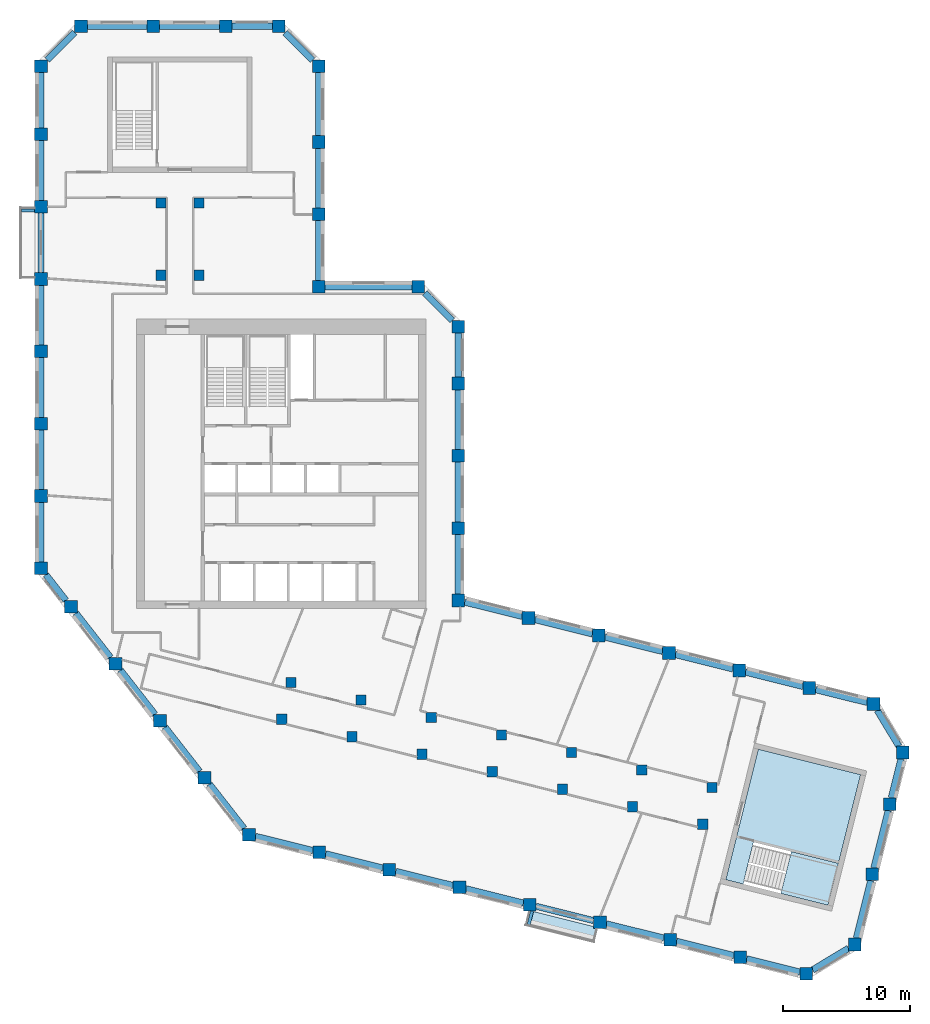
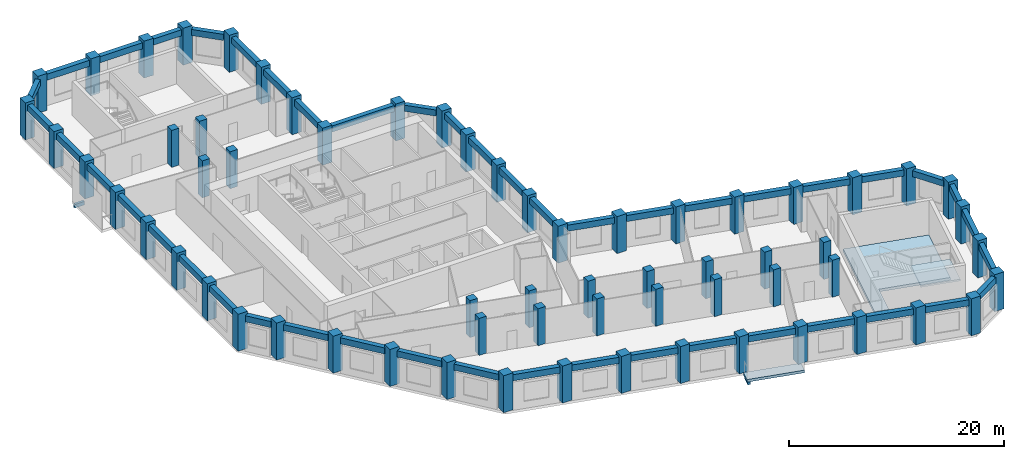
# One storey, part 1 of 9: 63 columns, 47 beams, 3 slabs, 1 element without a shape of its own.
"""IFC4 building model written with IfcOpenShell, lengths in metres."""

from ifc_helpers import new_model, si_unit, direction, frame, origin, origin_2d, place, context, subcontext, project, spatial, polyline, rectangle, outline, extrude, material, layer, layer_set, material_profile, profile_set, type_object, element, aggregate, save


model = new_model("IFC4")

# Units and contexts
model_context = context("Model", 3, precision=1e-05, world=origin(), true_north=direction((0.0, 1.0)))
body_context = subcontext(model_context, "Body", "Model", "MODEL_VIEW")
ifc_project = project(units=[si_unit("LENGTHUNIT", "METRE"), si_unit("AREAUNIT", "SQUARE_METRE"), si_unit("VOLUMEUNIT", "CUBIC_METRE"), si_unit("PLANEANGLEUNIT", "RADIAN"), si_unit("MASSUNIT", "GRAM", prefix="KILO")], contexts=[model_context])

# Site, building, storey
site_placement = place(None, origin())
site = spatial("IfcSite", under=ifc_project, at=site_placement, CompositionType="ELEMENT")
building_placement = place(site_placement, origin())
building = spatial("IfcBuilding", under=site, at=building_placement, Name="Meshkara Civic Tower", CompositionType="ELEMENT")
storey_placement = place(building_placement, frame((0.0, 0.0, 302.39990234375)))
storey = spatial("IfcBuildingStorey", under=building, at=storey_placement, Name="L69", CompositionType="ELEMENT", Elevation=302.39990234375)

# Columns
ifc_material_1 = material(Name="Concrete C60", Category="concrete")
ifc_material_profile_1 = material_profile(ifc_material_1, rectangle(XDim=0.800048828125, YDim=0.800048828125, at=origin_2d()))
ifc_profile_set_1 = profile_set([ifc_material_profile_1], Name="Concrete C60")
column_type_1 = type_object("IfcColumnType", Name="Interior column RC 800x800 C60", PredefinedType="COLUMN", material=ifc_profile_set_1)
for number, where, z_axis, x_axis, name in (
    (1, (9.89990234375, 40.35009765625, 0.0), (0.0, 0.0, 1.0), (1.0, 0.0, 0.0), "Column SA1-04 L69"),
    (2, (9.89990234375, 46.050048828125, 0.0), (0.0, 0.0, 1.0), (1.0, 0.0, 0.0), "Column SA1-05 L69"),
    (3, (12.89990234375, 40.35009765625, 0.0), (0.0, 0.0, 1.0), (1.0, 0.0, 0.0), "Column SA2-04 L69"),
    (4, (12.89990234375, 46.050048828125, 0.0), (0.0, 0.0, 1.0), (1.0, 0.0, 0.0), "Column SA2-05 L69"),
    (5, (19.424072265625, 5.360107421875, 0.0), (0.0, 0.0, 1.0), (1.0, 0.0, 0.0), "Column SB1-00 L69"),
    (6, (24.9541015625, 3.98095703125, 0.0), (0.0, 0.0, 1.0), (1.0, 0.0, 0.0), "Column SB1-01 L69"),
    (7, (30.485107421875, 2.60205078125, 0.0), (0.0, 0.0, 1.0), (1.0, 0.0, 0.0), "Column SB1-02 L69"),
    (8, (36.01611328125, 1.222900390625, 0.0), (0.0, 0.0, 1.0), (1.0, 0.0, 0.0), "Column SB1-03 L69"),
    (9, (41.5458984375, -0.156005859375, 0.0), (0.0, 0.0, 1.0), (1.0, 0.0, 0.0), "Column SB1-04 L69"),
    (10, (47.076904296875, -1.534912109375, 0.0), (0.0, 0.0, 1.0), (1.0, 0.0, 0.0), "Column SB1-05 L69"),
    (11, (52.60791015625, -2.9140625, 0.0), (0.0, 0.0, 1.0), (1.0, 0.0, 0.0), "Column SB1-06 L69"),
    (12, (20.14892578125, 8.27099609375, 0.0), (0.0, 0.0, 1.0), (1.0, 0.0, 0.0), "Column SB2-00 L69"),
    (13, (25.679931640625, 6.89208984375, 0.0), (0.0, 0.0, 1.0), (1.0, 0.0, 0.0), "Column SB2-01 L69"),
    (14, (31.2109375, 5.512939453125, 0.0), (0.0, 0.0, 1.0), (1.0, 0.0, 0.0), "Column SB2-02 L69"),
    (15, (36.741943359375, 4.134033203125, 0.0), (0.0, 0.0, 1.0), (1.0, 0.0, 0.0), "Column SB2-03 L69"),
    (16, (42.27197265625, 2.7548828125, 0.0), (0.0, 0.0, 1.0), (1.0, 0.0, 0.0), "Column SB2-04 L69"),
    (17, (47.802978515625, 1.3759765625, 0.0), (0.0, 0.0, 1.0), (1.0, 0.0, 0.0), "Column SB2-05 L69"),
    (18, (53.333984375, -0.0029296875, 0.0), (0.0, 0.0, 1.0), (1.0, 0.0, 0.0), "Column SB2-06 L69"),
):
    element("IfcColumn", number, at=place(storey_placement, frame(where, z_axis=z_axis, x_axis=x_axis)), inside=storey, type_object=column_type_1, Name=name, PredefinedType="COLUMN", context=body_context, shape_type="SweptSolid", body=[
        extrude(rectangle(XDim=0.800048828125, YDim=0.800048828125, at=origin_2d()), origin(), (0.0, 0.0, 1.0), 4.2001953125),
    ])
ifc_material_2 = material(Name="Concrete C60", Category="concrete")
ifc_material_profile_2 = material_profile(ifc_material_2, rectangle(XDim=1.0, YDim=1.0, at=origin_2d()))
ifc_profile_set_2 = profile_set([ifc_material_profile_2], Name="Concrete C60")
column_type_2 = type_object("IfcColumnType", Name="Perimeter column RC 1000x1000 C60", PredefinedType="COLUMN", material=ifc_profile_set_2)
for number, where, z_axis, x_axis, name in (
    (19, (33.35009765625, 14.718994140625, 0.0), (0.0, 0.0, 1.0), (1.0, 0.0, 0.0), "Column HE00 L69"),
    (20, (33.35009765625, 20.4189453125, 0.0), (0.0, 0.0, 1.0), (1.0, 0.0, 0.0), "Column HE01 L69"),
    (21, (33.35009765625, 26.118896484375, 0.0), (0.0, 0.0, 1.0), (1.0, 0.0, 0.0), "Column HE02 L69"),
    (22, (33.35009765625, 31.819091796875, 0.0), (0.0, 0.0, 1.0), (1.0, 0.0, 0.0), "Column HE03 L69"),
    (23, (33.35009765625, 36.2939453125, 0.0), (0.0, 0.0, 1.0), (1.0, 0.0, 0.0), "Column HEE L69"),
    (24, (30.194091796875, 39.449951171875, 0.0), (0.0, 0.0, 1.0), (1.0, 0.0, 0.0), "Column HCeE L69"),
    (25, (22.35009765625, 39.449951171875, 0.0), (0.0, 0.0, 1.0), (1.0, 0.0, 0.0), "Column HN00 L69"),
    (26, (22.35009765625, 45.14990234375, 0.0), (0.0, 0.0, 1.0), (1.0, 0.0, 0.0), "Column AE01 L69"),
    (27, (22.35009765625, 50.85009765625, 0.0), (0.0, 0.0, 1.0), (1.0, 0.0, 0.0), "Column AE02 L69"),
    (28, (22.35009765625, 56.81396484375, 0.0), (0.0, 0.0, 1.0), (1.0, 0.0, 0.0), "Column AEEP4 L69"),
    (29, (19.194091796875, 59.969970703125, 0.0), (0.0, 0.0, 1.0), (1.0, 0.0, 0.0), "Column ATiEP4 L69"),
    (30, (3.60595703125, 59.969970703125, 0.0), (0.0, 0.0, 1.0), (1.0, 0.0, 0.0), "Column AT00-P4 L69"),
    (31, (9.305908203125, 59.969970703125, 0.0), (0.0, 0.0, 1.0), (1.0, 0.0, 0.0), "Column AT01-P4 L69"),
    (32, (15.006103515625, 59.969970703125, 0.0), (0.0, 0.0, 1.0), (1.0, 0.0, 0.0), "Column AT02-P4 L69"),
    (33, (0.449951171875, 56.81396484375, 0.0), (0.0, 0.0, 1.0), (1.0, 0.0, 0.0), "Column ATo00-P4 L69"),
    (34, (0.449951171875, 17.2548828125, 0.0), (0.0, 0.0, 1.0), (1.0, 0.0, 0.0), "Column AW00 L69"),
    (35, (0.449951171875, 22.955078125, 0.0), (0.0, 0.0, 1.0), (1.0, 0.0, 0.0), "Column AW01 L69"),
    (36, (0.449951171875, 28.655029296875, 0.0), (0.0, 0.0, 1.0), (1.0, 0.0, 0.0), "Column AW02 L69"),
    (37, (0.449951171875, 34.35498046875, 0.0), (0.0, 0.0, 1.0), (1.0, 0.0, 0.0), "Column AW03 L69"),
    (38, (0.449951171875, 40.054931640625, 0.0), (0.0, 0.0, 1.0), (1.0, 0.0, 0.0), "Column AW04 L69"),
    (39, (0.449951171875, 45.7548828125, 0.0), (0.0, 0.0, 1.0), (1.0, 0.0, 0.0), "Column AW05 L69"),
    (40, (0.449951171875, 51.455078125, 0.0), (0.0, 0.0, 1.0), (1.0, 0.0, 0.0), "Column AW06 L69"),
    (41, (16.85107421875, -3.738037109375, 0.0), (0.0, 0.0, 1.0), (1.0, 0.0, 0.0), "Column BOW00 L69"),
    (42, (13.342041015625, 0.75390625, 0.0), (0.0, 0.0, 1.0), (1.0, 0.0, 0.0), "Column BOW01 L69"),
    (43, (9.8330078125, 5.2451171875, 0.0), (0.0, 0.0, 1.0), (1.0, 0.0, 0.0), "Column BOW02 L69"),
    (44, (6.322998046875, 9.737060546875, 0.0), (0.0, 0.0, 1.0), (1.0, 0.0, 0.0), "Column BOW03 L69"),
    (45, (2.81396484375, 14.22900390625, 0.0), (0.0, 0.0, 1.0), (1.0, 0.0, 0.0), "Column BOW04 L69"),
    (46, (22.382080078125, -5.116943359375, 0.0), (0.0, 0.0, 1.0), (1.0, 0.0, 0.0), "Column BS01 L69"),
    (47, (27.912109375, -6.49609375, 0.0), (0.0, 0.0, 1.0), (1.0, 0.0, 0.0), "Column BS02 L69"),
    (48, (33.443115234375, -7.875, 0.0), (0.0, 0.0, 1.0), (1.0, 0.0, 0.0), "Column BS03 L69"),
    (49, (38.97412109375, -9.25390625, 0.0), (0.0, 0.0, 1.0), (1.0, 0.0, 0.0), "Column BS04 L69"),
    (50, (44.50390625, -10.633056640625, 0.0), (0.0, 0.0, 1.0), (1.0, 0.0, 0.0), "Column BS05-P4 L69"),
    (51, (50.034912109375, -12.011962890625, 0.0), (0.0, 0.0, 1.0), (1.0, 0.0, 0.0), "Column BS06-P4 L69"),
    (52, (55.56591796875, -13.389892578125, 0.0), (0.0, 0.0, 1.0), (1.0, 0.0, 0.0), "Column BS07 L69"),
    (53, (60.76611328125, -14.68701171875, 0.0), (0.0, 0.0, 1.0), (1.0, 0.0, 0.0), "Column BSEP4 L69"),
    (54, (64.591064453125, -12.386962890625, 0.0), (0.0, 0.0, 1.0), (1.0, 0.0, 0.0), "Column BToEP4 L69"),
    (55, (65.969970703125, -6.85595703125, 0.0), (0.0, 0.0, 1.0), (1.0, 0.0, 0.0), "Column BT01-P4 L69"),
    (56, (67.34912109375, -1.325927734375, 0.0), (0.0, 0.0, 1.0), (1.0, 0.0, 0.0), "Column BT02-P4 L69"),
    (57, (68.362060546875, 2.736083984375, 0.0), (0.0, 0.0, 1.0), (1.0, 0.0, 0.0), "Column BTEP4 L69"),
    (58, (66.06298828125, 6.56201171875, 0.0), (0.0, 0.0, 1.0), (1.0, 0.0, 0.0), "Column BTi00-P4 L69"),
    (59, (38.881103515625, 13.340087890625, 0.0), (0.0, 0.0, 1.0), (1.0, 0.0, 0.0), "Column BN01 L69"),
    (60, (44.410888671875, 11.9609375, 0.0), (0.0, 0.0, 1.0), (1.0, 0.0, 0.0), "Column BN02 L69"),
    (61, (49.94189453125, 10.58203125, 0.0), (0.0, 0.0, 1.0), (1.0, 0.0, 0.0), "Column BN03 L69"),
    (62, (55.472900390625, 9.202880859375, 0.0), (0.0, 0.0, 1.0), (1.0, 0.0, 0.0), "Column BN04 L69"),
    (63, (61.0029296875, 7.823974609375, 0.0), (0.0, 0.0, 1.0), (1.0, 0.0, 0.0), "Column BN05 L69"),
):
    element("IfcColumn", number, at=place(storey_placement, frame(where, z_axis=z_axis, x_axis=x_axis)), inside=storey, type_object=column_type_2, Name=name, PredefinedType="COLUMN", context=body_context, shape_type="SweptSolid", body=[
        extrude(rectangle(XDim=1.0, YDim=1.0, at=origin_2d()), origin(), (0.0, 0.0, 1.0), 4.2001953125),
    ])

# Beams
ifc_material_3 = material(Name="Concrete C50", Category="concrete")
ifc_material_profile_3 = material_profile(ifc_material_3, rectangle(XDim=0.25, YDim=0.39990234375, at=origin_2d()))
ifc_profile_set_3 = profile_set([ifc_material_profile_3], Name="Concrete C50")
beam_type_1 = type_object("IfcBeamType", Name="Balcony bracket beam RC 250x400 C50", PredefinedType="BEAM", material=ifc_profile_set_3)
beam_1_placement = place(storey_placement, frame((-0.044921875, 45.455078125, -0.5), z_axis=(-1.0, 0.0, 0.0), x_axis=(0.0, -1.0, 0.0)))
element("IfcBeam", 64, at=beam_1_placement, inside=storey, type_object=beam_type_1, Name="Balcony bracket beam", PredefinedType="BEAM", context=body_context, shape_type="SweptSolid", body=[
    extrude(rectangle(XDim=0.25, YDim=0.39990234375, at=origin_2d()), origin(), (0.0, 0.0, 1.0), 1.05517578125),
])
beam_2_placement = place(storey_placement, frame((39.159912109375, -9.7490234375, -0.5), z_axis=(-0.242329403705, -0.970194032192, 0.0), x_axis=(0.970194032192, -0.242329403705, 0.0)))
element("IfcBeam", 65, at=beam_2_placement, inside=storey, type_object=beam_type_1, Name="Balcony bracket beam", PredefinedType="BEAM", context=body_context, shape_type="SweptSolid", body=[
    extrude(rectangle(XDim=0.25, YDim=0.39990234375, at=origin_2d()), origin(), (0.0, 0.0, 1.0), 1.1142578125),
])
ifc_material_4 = material(Name="Concrete C50", Category="concrete")
ifc_material_profile_4 = material_profile(ifc_material_4, rectangle(XDim=0.5, YDim=0.699951171875, at=origin_2d()))
ifc_profile_set_4 = profile_set([ifc_material_profile_4], Name="Concrete C50")
beam_type_2 = type_object("IfcBeamType", Name="Spandrel beam RC 500x700 C50", PredefinedType="BEAM", material=ifc_profile_set_4)
beam_3_placement = place(storey_placement, frame((60.5078125, 7.947509765625, 3.550048828125), z_axis=(-0.970286590806, 0.241958533023, 0.0), x_axis=(-0.241958533023, -0.970286590806, 0.0)))
element("IfcBeam", 66, at=beam_3_placement, inside=storey, type_object=beam_type_2, Name="Spandrel beam BN04-BN05", PredefinedType="BEAM", context=body_context, shape_type="SweptSolid", body=[
    extrude(rectangle(XDim=0.5, YDim=0.699951171875, at=origin_2d()), origin(), (0.0, 0.0, 1.0), 4.6787109375),
])
beam_4_placement = place(storey_placement, frame((54.977783203125, 9.326416015625, 3.550048828125), z_axis=(-0.970298806378, 0.241909541651, 0.0), x_axis=(-0.241909541651, -0.970298806378, 0.0)))
element("IfcBeam", 67, at=beam_4_placement, inside=storey, type_object=beam_type_2, Name="Spandrel beam BN03-BN04", PredefinedType="BEAM", context=body_context, shape_type="SweptSolid", body=[
    extrude(rectangle(XDim=0.5, YDim=0.699951171875, at=origin_2d()), origin(), (0.0, 0.0, 1.0), 4.6796875),
])
beam_5_placement = place(storey_placement, frame((49.447021484375, 10.70556640625, 3.550048828125), z_axis=(-0.970314102262, 0.241848181618, 0.0), x_axis=(-0.241848181618, -0.970314102262, 0.0)))
element("IfcBeam", 68, at=beam_5_placement, inside=storey, type_object=beam_type_2, Name="Spandrel beam BN02-BN03", PredefinedType="BEAM", context=body_context, shape_type="SweptSolid", body=[
    extrude(rectangle(XDim=0.5, YDim=0.699951171875, at=origin_2d()), origin(), (0.0, 0.0, 1.0), 4.679931640625),
])
beam_6_placement = place(storey_placement, frame((43.916015625, 12.08447265625, 3.550048828125), z_axis=(-0.970286590806, 0.241958533023, 0.0), x_axis=(-0.241958533023, -0.970286590806, 0.0)))
element("IfcBeam", 69, at=beam_6_placement, inside=storey, type_object=beam_type_2, Name="Spandrel beam BN01-BN02", PredefinedType="BEAM", context=body_context, shape_type="SweptSolid", body=[
    extrude(rectangle(XDim=0.5, YDim=0.699951171875, at=origin_2d()), origin(), (0.0, 0.0, 1.0), 4.6787109375),
])
beam_7_placement = place(storey_placement, frame((38.385986328125, 13.46337890625, 3.550048828125), z_axis=(-0.970298806378, 0.241909541651, 0.0), x_axis=(-0.241909541651, -0.970298806378, 0.0)))
element("IfcBeam", 70, at=beam_7_placement, inside=storey, type_object=beam_type_2, Name="Spandrel beam BN01-HE00", PredefinedType="BEAM", context=body_context, shape_type="SweptSolid", body=[
    extrude(rectangle(XDim=0.5, YDim=0.699951171875, at=origin_2d()), origin(), (0.0, 0.0, 1.0), 4.6796875),
])
for number, where, z_axis, x_axis, name in (
    (71, (33.35009765625, 15.214111328125, 3.550048828125), (0.0, 1.0, 0.0), (-1.0, 0.0, 0.0), "Spandrel beam HE00-HE01"),
    (72, (33.35009765625, 20.9140625, 3.550048828125), (0.0, 1.0, 0.0), (-1.0, 0.0, 0.0), "Spandrel beam HE01-HE02"),
    (73, (33.35009765625, 26.614013671875, 3.550048828125), (0.0, 1.0, 0.0), (-1.0, 0.0, 0.0), "Spandrel beam HE02-HE03"),
):
    element("IfcBeam", number, at=place(storey_placement, frame(where, z_axis=z_axis, x_axis=x_axis)), inside=storey, type_object=beam_type_2, Name=name, PredefinedType="BEAM", context=body_context, shape_type="SweptSolid", body=[
        extrude(rectangle(XDim=0.5, YDim=0.699951171875, at=origin_2d()), origin(), (0.0, 0.0, 1.0), 4.7099609375),
    ])
beam_8_placement = place(storey_placement, frame((33.35009765625, 32.31396484375, 3.550048828125), z_axis=(0.0, 1.0, 0.0), x_axis=(-1.0, 0.0, 0.0)))
element("IfcBeam", 74, at=beam_8_placement, inside=storey, type_object=beam_type_2, Name="Spandrel beam HE03-HEE", PredefinedType="BEAM", context=body_context, shape_type="SweptSolid", body=[
    extrude(rectangle(XDim=0.5, YDim=0.699951171875, at=origin_2d()), origin(), (0.0, 0.0, 1.0), 3.485107421875),
])
beam_9_placement = place(storey_placement, frame((32.853515625, 36.79052734375, 3.550048828125), z_axis=(-0.707106781187, 0.707106781187, 0.0), x_axis=(-0.707106781187, -0.707106781187, 0.0)))
element("IfcBeam", 75, at=beam_9_placement, inside=storey, type_object=beam_type_2, Name="Spandrel beam HCeE-HEE", PredefinedType="BEAM", context=body_context, shape_type="SweptSolid", body=[
    extrude(rectangle(XDim=0.5, YDim=0.699951171875, at=origin_2d()), origin(), (0.0, 0.0, 1.0), 3.05908203125),
])
beam_10_placement = place(storey_placement, frame((29.698974609375, 39.449951171875, 3.550048828125), z_axis=(-1.0, 0.0, 0.0), x_axis=(0.0, -1.0, 0.0)))
element("IfcBeam", 76, at=beam_10_placement, inside=storey, type_object=beam_type_2, Name="Spandrel beam HCeE-HN00", PredefinedType="BEAM", context=body_context, shape_type="SweptSolid", body=[
    extrude(rectangle(XDim=0.5, YDim=0.699951171875, at=origin_2d()), origin(), (0.0, 0.0, 1.0), 6.85400390625),
])
for number, where, z_axis, x_axis, name in (
    (77, (22.35009765625, 39.945068359375, 3.550048828125), (0.0, 1.0, 0.0), (-1.0, 0.0, 0.0), "Spandrel beam AE01-HN00"),
    (78, (22.35009765625, 45.64501953125, 3.550048828125), (0.0, 1.0, 0.0), (-1.0, 0.0, 0.0), "Spandrel beam AE01-AE02"),
):
    element("IfcBeam", number, at=place(storey_placement, frame(where, z_axis=z_axis, x_axis=x_axis)), inside=storey, type_object=beam_type_2, Name=name, PredefinedType="BEAM", context=body_context, shape_type="SweptSolid", body=[
        extrude(rectangle(XDim=0.5, YDim=0.699951171875, at=origin_2d()), origin(), (0.0, 0.0, 1.0), 4.7099609375),
    ])
beam_11_placement = place(storey_placement, frame((22.35009765625, 51.344970703125, 3.550048828125), z_axis=(0.0, 1.0, 0.0), x_axis=(-1.0, 0.0, 0.0)))
element("IfcBeam", 79, at=beam_11_placement, inside=storey, type_object=beam_type_2, Name="Spandrel beam AE02-AEEP4", PredefinedType="BEAM", context=body_context, shape_type="SweptSolid", body=[
    extrude(rectangle(XDim=0.5, YDim=0.699951171875, at=origin_2d()), origin(), (0.0, 0.0, 1.0), 4.97412109375),
])
beam_12_placement = place(storey_placement, frame((21.853515625, 57.310546875, 3.550048828125), z_axis=(-0.707146686758, 0.707066873363, 0.0), x_axis=(-0.707066873363, -0.707146686758, 0.0)))
element("IfcBeam", 80, at=beam_12_placement, inside=storey, type_object=beam_type_2, Name="Spandrel beam AEEP4-ATiEP4", PredefinedType="BEAM", context=body_context, shape_type="SweptSolid", body=[
    extrude(rectangle(XDim=0.5, YDim=0.699951171875, at=origin_2d()), origin(), (0.0, 0.0, 1.0), 3.058837890625),
])
beam_13_placement = place(storey_placement, frame((18.698974609375, 59.969970703125, 3.550048828125), z_axis=(-1.0, 0.0, 0.0), x_axis=(0.0, -1.0, 0.0)))
element("IfcBeam", 81, at=beam_13_placement, inside=storey, type_object=beam_type_2, Name="Spandrel beam AT02-P4-ATiEP4", PredefinedType="BEAM", context=body_context, shape_type="SweptSolid", body=[
    extrude(rectangle(XDim=0.5, YDim=0.699951171875, at=origin_2d()), origin(), (0.0, 0.0, 1.0), 3.197998046875),
])
for number, where, z_axis, x_axis, name in (
    (82, (14.510986328125, 59.969970703125, 3.550048828125), (-1.0, 0.0, 0.0), (0.0, -1.0, 0.0), "Spandrel beam AT01-P4-AT02-P4"),
    (83, (8.81103515625, 59.969970703125, 3.550048828125), (-1.0, 0.0, 0.0), (0.0, -1.0, 0.0), "Spandrel beam AT00-P4-AT01-P4"),
):
    element("IfcBeam", number, at=place(storey_placement, frame(where, z_axis=z_axis, x_axis=x_axis)), inside=storey, type_object=beam_type_2, Name=name, PredefinedType="BEAM", context=body_context, shape_type="SweptSolid", body=[
        extrude(rectangle(XDim=0.5, YDim=0.699951171875, at=origin_2d()), origin(), (0.0, 0.0, 1.0), 4.7099609375),
    ])
beam_14_placement = place(storey_placement, frame((3.109619140625, 59.473388671875, 3.550048828125), z_axis=(-0.707146686758, -0.707066873363, 0.0), x_axis=(0.707066873363, -0.707146686758, 0.0)))
element("IfcBeam", 84, at=beam_14_placement, inside=storey, type_object=beam_type_2, Name="Spandrel beam AT00-P4-ATo00-P4", PredefinedType="BEAM", context=body_context, shape_type="SweptSolid", body=[
    extrude(rectangle(XDim=0.5, YDim=0.699951171875, at=origin_2d()), origin(), (0.0, 0.0, 1.0), 3.058837890625),
])
beam_15_placement = place(storey_placement, frame((0.449951171875, 56.319091796875, 3.550048828125), z_axis=(0.0, -1.0, 0.0), x_axis=(1.0, 0.0, 0.0)))
element("IfcBeam", 85, at=beam_15_placement, inside=storey, type_object=beam_type_2, Name="Spandrel beam ATo00-P4-AW06", PredefinedType="BEAM", context=body_context, shape_type="SweptSolid", body=[
    extrude(rectangle(XDim=0.5, YDim=0.699951171875, at=origin_2d()), origin(), (0.0, 0.0, 1.0), 4.369140625),
])
for number, where, z_axis, x_axis, name in (
    (86, (0.449951171875, 50.9599609375, 3.550048828125), (0.0, -1.0, 0.0), (1.0, 0.0, 0.0), "Spandrel beam AW05-AW06"),
    (87, (0.449951171875, 45.260009765625, 3.550048828125), (0.0, -1.0, 0.0), (1.0, 0.0, 0.0), "Spandrel beam AW04-AW05"),
    (88, (0.449951171875, 39.56005859375, 3.550048828125), (0.0, -1.0, 0.0), (1.0, 0.0, 0.0), "Spandrel beam AW03-AW04"),
):
    element("IfcBeam", number, at=place(storey_placement, frame(where, z_axis=z_axis, x_axis=x_axis)), inside=storey, type_object=beam_type_2, Name=name, PredefinedType="BEAM", context=body_context, shape_type="SweptSolid", body=[
        extrude(rectangle(XDim=0.5, YDim=0.699951171875, at=origin_2d()), origin(), (0.0, 0.0, 1.0), 4.7099609375),
    ])
beam_16_placement = place(storey_placement, frame((0.449951171875, 33.860107421875, 3.550048828125), z_axis=(0.0, -1.0, 0.0), x_axis=(1.0, 0.0, 0.0)))
element("IfcBeam", 89, at=beam_16_placement, inside=storey, type_object=beam_type_2, Name="Spandrel beam AW02-AW03", PredefinedType="BEAM", context=body_context, shape_type="SweptSolid", body=[
    extrude(rectangle(XDim=0.5, YDim=0.699951171875, at=origin_2d()), origin(), (0.0, 0.0, 1.0), 4.710205078125),
])
for number, where, z_axis, x_axis, name in (
    (90, (0.449951171875, 28.159912109375, 3.550048828125), (0.0, -1.0, 0.0), (1.0, 0.0, 0.0), "Spandrel beam AW01-AW02"),
    (91, (0.449951171875, 22.4599609375, 3.550048828125), (0.0, -1.0, 0.0), (1.0, 0.0, 0.0), "Spandrel beam AW00-AW01"),
):
    element("IfcBeam", number, at=place(storey_placement, frame(where, z_axis=z_axis, x_axis=x_axis)), inside=storey, type_object=beam_type_2, Name=name, PredefinedType="BEAM", context=body_context, shape_type="SweptSolid", body=[
        extrude(rectangle(XDim=0.5, YDim=0.699951171875, at=origin_2d()), origin(), (0.0, 0.0, 1.0), 4.7099609375),
    ])
beam_17_placement = place(storey_placement, frame((0.83740234375, 16.7587890625, 3.550048828125), z_axis=(0.615713794912, -0.787969874269, 0.0), x_axis=(0.787969874269, 0.615713794912, 0.0)))
element("IfcBeam", 92, at=beam_17_placement, inside=storey, type_object=beam_type_2, Name="Spandrel beam AW00-BOW04", PredefinedType="BEAM", context=body_context, shape_type="SweptSolid", body=[
    extrude(rectangle(XDim=0.5, YDim=0.699951171875, at=origin_2d()), origin(), (0.0, 0.0, 1.0), 2.580810546875),
])
beam_18_placement = place(storey_placement, frame((3.201416015625, 13.73291015625, 3.550048828125), z_axis=(0.615636574491, -0.788030207637, 0.0), x_axis=(0.788030207637, 0.615636574491, 0.0)))
element("IfcBeam", 93, at=beam_18_placement, inside=storey, type_object=beam_type_2, Name="Spandrel beam BOW03-BOW04", PredefinedType="BEAM", context=body_context, shape_type="SweptSolid", body=[
    extrude(rectangle(XDim=0.5, YDim=0.699951171875, at=origin_2d()), origin(), (0.0, 0.0, 1.0), 4.441162109375),
])
beam_19_placement = place(storey_placement, frame((6.710693359375, 9.240966796875, 3.550048828125), z_axis=(0.615704842432, -0.787976869588, 0.0), x_axis=(0.787976869588, 0.615704842432, 0.0)))
element("IfcBeam", 94, at=beam_19_placement, inside=storey, type_object=beam_type_2, Name="Spandrel beam BOW02-BOW03", PredefinedType="BEAM", context=body_context, shape_type="SweptSolid", body=[
    extrude(rectangle(XDim=0.5, YDim=0.699951171875, at=origin_2d()), origin(), (0.0, 0.0, 1.0), 4.44140625),
])
beam_20_placement = place(storey_placement, frame((10.220703125, 4.748779296875, 3.550048828125), z_axis=(0.615674985547, -0.788000198078, 0.0), x_axis=(0.788000198078, 0.615674985547, 0.0)))
element("IfcBeam", 95, at=beam_20_placement, inside=storey, type_object=beam_type_2, Name="Spandrel beam BOW01-BOW02", PredefinedType="BEAM", context=body_context, shape_type="SweptSolid", body=[
    extrude(rectangle(XDim=0.5, YDim=0.699951171875, at=origin_2d()), origin(), (0.0, 0.0, 1.0), 4.440185546875),
])
beam_21_placement = place(storey_placement, frame((13.7294921875, 0.2578125, 3.550048828125), z_axis=(0.615602435322, -0.788056877151, 0.0), x_axis=(0.788056877151, 0.615602435322, 0.0)))
element("IfcBeam", 96, at=beam_21_placement, inside=storey, type_object=beam_type_2, Name="Spandrel beam BOW00-BOW01", PredefinedType="BEAM", context=body_context, shape_type="SweptSolid", body=[
    extrude(rectangle(XDim=0.5, YDim=0.699951171875, at=origin_2d()), origin(), (0.0, 0.0, 1.0), 4.44091796875),
])
beam_22_placement = place(storey_placement, frame((17.34619140625, -3.861572265625, 3.550048828125), z_axis=(0.970311050729, -0.24186042428, 0.0), x_axis=(0.24186042428, 0.970311050729, 0.0)))
element("IfcBeam", 97, at=beam_22_placement, inside=storey, type_object=beam_type_2, Name="Spandrel beam BOW00-BS01", PredefinedType="BEAM", context=body_context, shape_type="SweptSolid", body=[
    extrude(rectangle(XDim=0.5, YDim=0.699951171875, at=origin_2d()), origin(), (0.0, 0.0, 1.0), 4.6796875),
])
beam_23_placement = place(storey_placement, frame((22.877197265625, -5.240478515625, 3.550048828125), z_axis=(0.970286590806, -0.241958533023, 0.0), x_axis=(0.241958533023, 0.970286590806, 0.0)))
element("IfcBeam", 98, at=beam_23_placement, inside=storey, type_object=beam_type_2, Name="Spandrel beam BS01-BS02", PredefinedType="BEAM", context=body_context, shape_type="SweptSolid", body=[
    extrude(rectangle(XDim=0.5, YDim=0.699951171875, at=origin_2d()), origin(), (0.0, 0.0, 1.0), 4.6787109375),
])
for number, where, z_axis, x_axis, name in (
    (99, (28.406982421875, -6.619384765625, 3.550048828125), (0.970301859111, -0.241897296812, 0.0), (0.241897296812, 0.970301859111, 0.0), "Spandrel beam BS02-BS03"),
    (100, (33.93798828125, -7.99853515625, 3.550048828125), (0.970301859111, -0.241897296812, 0.0), (0.241897296812, 0.970301859111, 0.0), "Spandrel beam BS03-BS04"),
):
    element("IfcBeam", number, at=place(storey_placement, frame(where, z_axis=z_axis, x_axis=x_axis)), inside=storey, type_object=beam_type_2, Name=name, PredefinedType="BEAM", context=body_context, shape_type="SweptSolid", body=[
        extrude(rectangle(XDim=0.5, YDim=0.699951171875, at=origin_2d()), origin(), (0.0, 0.0, 1.0), 4.679931640625),
    ])
beam_24_placement = place(storey_placement, frame((39.468994140625, -9.37744140625, 3.550048828125), z_axis=(0.970286590806, -0.241958533023, 0.0), x_axis=(0.241958533023, 0.970286590806, 0.0)))
element("IfcBeam", 101, at=beam_24_placement, inside=storey, type_object=beam_type_2, Name="Spandrel beam BS04-BS05-P4", PredefinedType="BEAM", context=body_context, shape_type="SweptSolid", body=[
    extrude(rectangle(XDim=0.5, YDim=0.699951171875, at=origin_2d()), origin(), (0.0, 0.0, 1.0), 4.6787109375),
])
beam_25_placement = place(storey_placement, frame((44.9990234375, -10.756591796875, 3.550048828125), z_axis=(0.970311050729, -0.24186042428, 0.0), x_axis=(0.24186042428, 0.970311050729, 0.0)))
element("IfcBeam", 102, at=beam_25_placement, inside=storey, type_object=beam_type_2, Name="Spandrel beam BS05-P4-BS06-P4", PredefinedType="BEAM", context=body_context, shape_type="SweptSolid", body=[
    extrude(rectangle(XDim=0.5, YDim=0.699951171875, at=origin_2d()), origin(), (0.0, 0.0, 1.0), 4.6796875),
])
beam_26_placement = place(storey_placement, frame((50.530029296875, -12.135498046875, 3.550048828125), z_axis=(0.970347770718, -0.241713061011, 0.0), x_axis=(0.241713061011, 0.970347770718, 0.0)))
element("IfcBeam", 103, at=beam_26_placement, inside=storey, type_object=beam_type_2, Name="Spandrel beam BS06-P4-BS07", PredefinedType="BEAM", context=body_context, shape_type="SweptSolid", body=[
    extrude(rectangle(XDim=0.5, YDim=0.699951171875, at=origin_2d()), origin(), (0.0, 0.0, 1.0), 4.679443359375),
])
beam_27_placement = place(storey_placement, frame((56.06103515625, -13.513427734375, 3.550048828125), z_axis=(0.970274749447, -0.242006013533, 0.0), x_axis=(0.242006013533, 0.970274749447, 0.0)))
element("IfcBeam", 104, at=beam_27_placement, inside=storey, type_object=beam_type_2, Name="Spandrel beam BS07-BSEP4", PredefinedType="BEAM", context=body_context, shape_type="SweptSolid", body=[
    extrude(rectangle(XDim=0.5, YDim=0.699951171875, at=origin_2d()), origin(), (0.0, 0.0, 1.0), 4.3388671875),
])
beam_28_placement = place(storey_placement, frame((61.26171875, -14.388916015625, 3.550048828125), z_axis=(0.856990838189, 0.515331643953, 0.0), x_axis=(-0.515331643953, 0.856990838189, 0.0)))
element("IfcBeam", 105, at=beam_28_placement, inside=storey, type_object=beam_type_2, Name="Spandrel beam BSEP4-BToEP4", PredefinedType="BEAM", context=body_context, shape_type="SweptSolid", body=[
    extrude(rectangle(XDim=0.5, YDim=0.699951171875, at=origin_2d()), origin(), (0.0, 0.0, 1.0), 3.306396484375),
])
beam_29_placement = place(storey_placement, frame((64.714599609375, -11.891845703125, 3.550048828125), z_axis=(0.24186042428, 0.970311050729, 0.0), x_axis=(-0.970311050729, 0.24186042428, 0.0)))
element("IfcBeam", 106, at=beam_29_placement, inside=storey, type_object=beam_type_2, Name="Spandrel beam BT01-P4-BToEP4", PredefinedType="BEAM", context=body_context, shape_type="SweptSolid", body=[
    extrude(rectangle(XDim=0.5, YDim=0.699951171875, at=origin_2d()), origin(), (0.0, 0.0, 1.0), 4.6796875),
])
beam_30_placement = place(storey_placement, frame((66.093505859375, -6.36083984375, 3.550048828125), z_axis=(0.241958533023, 0.970286590806, 0.0), x_axis=(-0.970286590806, 0.241958533023, 0.0)))
element("IfcBeam", 107, at=beam_30_placement, inside=storey, type_object=beam_type_2, Name="Spandrel beam BT01-P4-BT02-P4", PredefinedType="BEAM", context=body_context, shape_type="SweptSolid", body=[
    extrude(rectangle(XDim=0.5, YDim=0.699951171875, at=origin_2d()), origin(), (0.0, 0.0, 1.0), 4.6787109375),
])
beam_31_placement = place(storey_placement, frame((67.472412109375, -0.830810546875, 3.550048828125), z_axis=(0.241991235859, 0.970278435176, 0.0), x_axis=(-0.970278435176, 0.241991235859, 0.0)))
element("IfcBeam", 108, at=beam_31_placement, inside=storey, type_object=beam_type_2, Name="Spandrel beam BT02-P4-BTEP4", PredefinedType="BEAM", context=body_context, shape_type="SweptSolid", body=[
    extrude(rectangle(XDim=0.5, YDim=0.699951171875, at=origin_2d()), origin(), (0.0, 0.0, 1.0), 3.165771484375),
])
beam_32_placement = place(storey_placement, frame((68.064208984375, 3.231689453125, 3.550048828125), z_axis=(-0.515060169575, 0.8571540245, 0.0), x_axis=(-0.8571540245, -0.515060169575, 0.0)))
element("IfcBeam", 109, at=beam_32_placement, inside=storey, type_object=beam_type_2, Name="Spandrel beam BTEP4-BTi00-P4", PredefinedType="BEAM", context=body_context, shape_type="SweptSolid", body=[
    extrude(rectangle(XDim=0.5, YDim=0.699951171875, at=origin_2d()), origin(), (0.0, 0.0, 1.0), 3.30712890625),
])
beam_33_placement = place(storey_placement, frame((65.56787109375, 6.685546875, 3.550048828125), z_axis=(-0.970286131512, 0.241960374847, 0.0), x_axis=(-0.241960374847, -0.970286131512, 0.0)))
element("IfcBeam", 110, at=beam_33_placement, inside=storey, type_object=beam_type_2, Name="Spandrel beam BN05-BTi00-P4", PredefinedType="BEAM", context=body_context, shape_type="SweptSolid", body=[
    extrude(rectangle(XDim=0.5, YDim=0.699951171875, at=origin_2d()), origin(), (0.0, 0.0, 1.0), 4.1943359375),
])

# Slabs
ifc_material_5 = material(Name="Concrete C40", Category="concrete")
ifc_layer_1 = layer(ifc_material_5, 0.300048828125)
ifc_layer_set_1 = layer_set([ifc_layer_1], Name="BALCONY SLAB")
slab_type_1 = type_object("IfcSlabType", Name="BALCONY SLAB", PredefinedType="FLOOR", material=ifc_layer_set_1)
slab_1_placement = place(storey_placement, frame((0.0, 0.0, -0.2998046875)))
element("IfcSlab", 111, at=slab_1_placement, inside=storey, type_object=slab_type_1, Name="Balcony slab", PredefinedType="FLOOR", context=body_context, shape_type="SweptSolid", body=[
    extrude(outline(polyline([(44.047119140625, -12.218994140625), (38.633056640625, -10.868896484375), (38.910888671875, -9.75390625), (39.1201171875, -9.75390625), (44.00390625, -10.971923828125), (44.00390625, -11.133056640625), (44.31689453125, -11.133056640625), (44.047119140625, -12.218994140625)])), origin(), (0.0, 0.0, 1.0), 0.2998046875),
])
ifc_material_6 = material(Name="Concrete C40/50", Category="concrete")
ifc_layer_2 = layer(ifc_material_6, 0.300048828125)
ifc_layer_set_2 = layer_set([ifc_layer_2], Name="Core floor slab 300 C40/50")
slab_type_2 = type_object("IfcSlabType", Name="Core floor slab 300 C40/50", PredefinedType="FLOOR", material=ifc_layer_set_2)
slab_2_placement = place(storey_placement, frame((0.0, 0.0, -0.2998046875)))
element("IfcSlab", 112, at=slab_2_placement, inside=storey, type_object=slab_type_2, Name="Core floor EB", PredefinedType="FLOOR", context=body_context, shape_type="SweptSolid", body=[
    extrude(outline(polyline([(56.989013671875, 3.002197265625), (65.04248046875, 0.994384765625), (63.30078125, -5.99169921875), (56.607177734375, -4.322998046875), (55.78466796875, -7.621826171875), (54.4248046875, -7.282958984375), (56.989013671875, 3.002197265625)])), origin(), (0.0, 0.0, 1.0), 0.2998046875),
])

# Stair, slab
ifc_material_7 = material(Name="Precast concrete C40/50", Category="concrete")
stair_type = type_object("IfcStairType", Name="Exit stair half-turn 24 risers precast", PredefinedType="HALF_TURN_STAIR", material=ifc_material_7)
stair_placement = place(storey_placement, origin())
stair = element("IfcStair", 113, at=stair_placement, inside=storey, type_object=stair_type, Name="L69 exit stair B from L65", PredefinedType="HALF_TURN_STAIR")
ifc_material_8 = material(Name="Precast concrete C40/50", Category="concrete")
ifc_layer_3 = layer(ifc_material_8, 0.199951171875)
ifc_layer_set_3 = layer_set([ifc_layer_3], Name="Exit stair landing 200")
slab_type_3 = type_object("IfcSlabType", Name="Exit stair landing 200", PredefinedType="LANDING", material=ifc_layer_set_3)
slab_3_placement = place(storey_placement, frame((0.0, 0.0, 1.900146484375)))
slab_3 = element("IfcSlab", 114, at=slab_3_placement, type_object=slab_type_3, Name="ESB5 landing 1", PredefinedType="LANDING", context=body_context, shape_type="SweptSolid", body=[
    extrude(outline(polyline([(58.769775390625, -8.366943359375), (62.477783203125, -9.2919921875), (63.301025390625, -5.991943359375), (59.593017578125, -5.06689453125), (58.769775390625, -8.366943359375)])), origin(), (0.0, 0.0, 1.0), 0.199951171875),
])
aggregate(stair, [slab_3])

save(model, "model.ifc")
